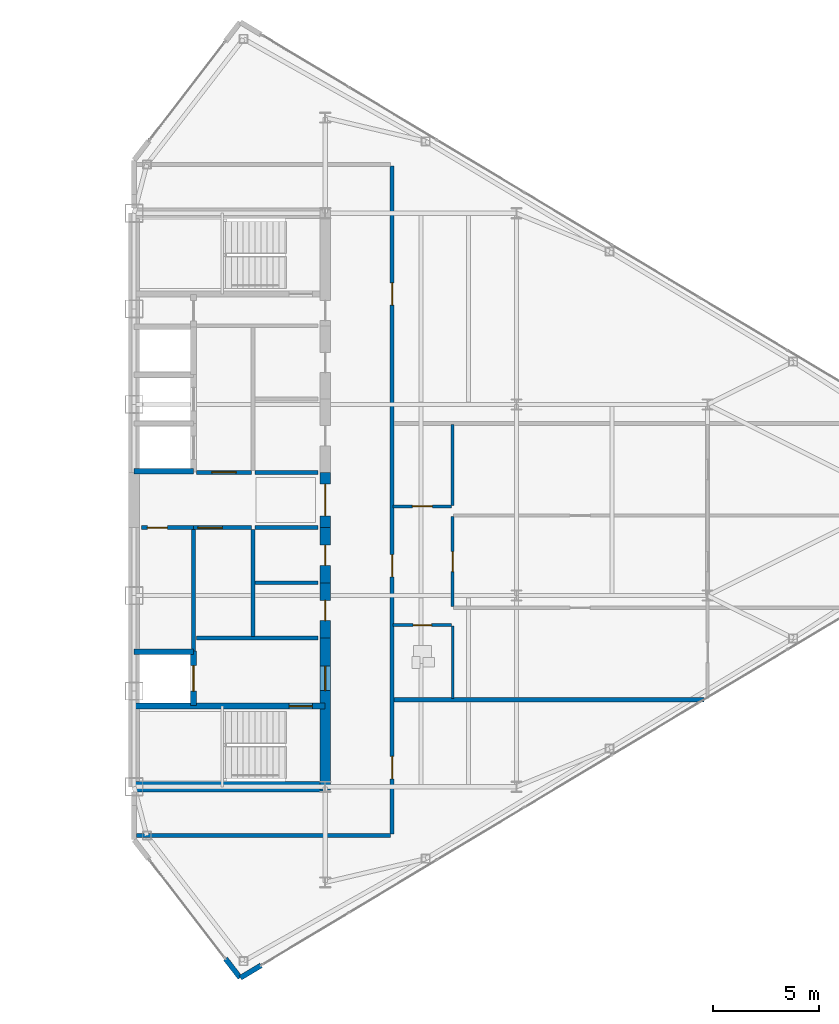
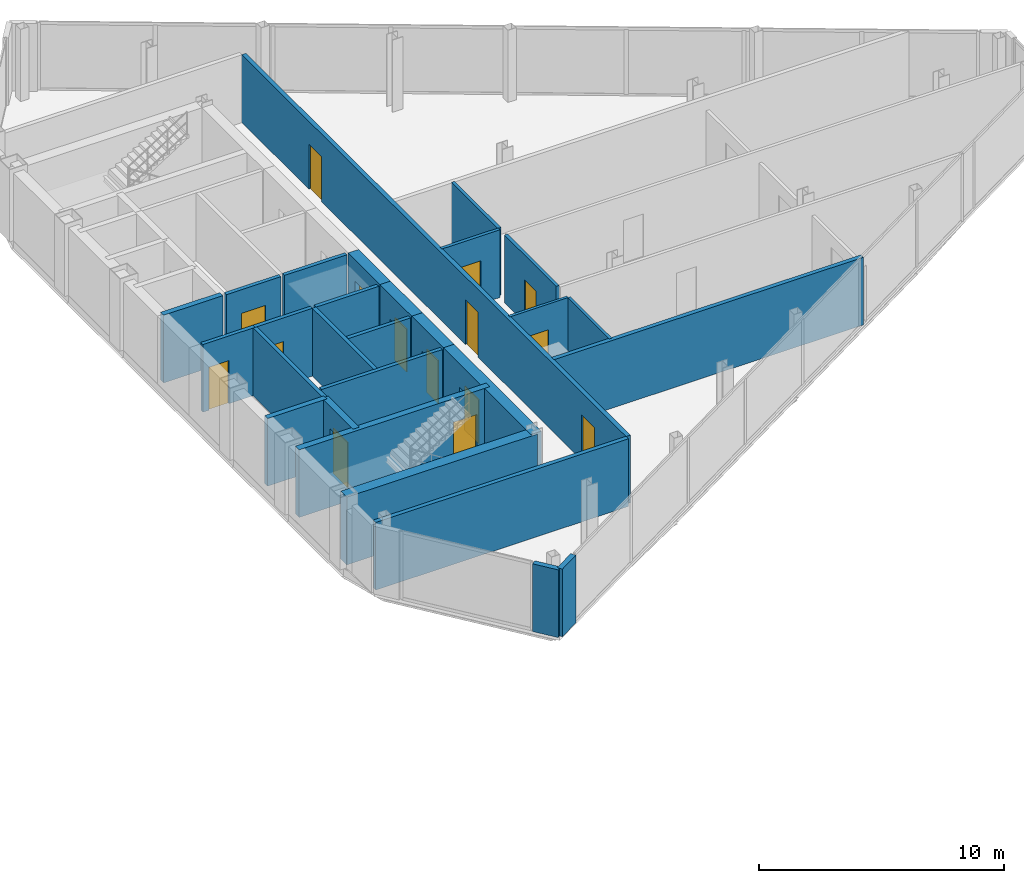
# One storey, part 21 of 25: 28 walls, 15 doors, 15 openings.
"""IFC4 building model written with IfcOpenShell, lengths in metres."""

from ifc_helpers import new_model, si_unit, direction, frame, frame_2d, origin, place, context, subcontext, project, spatial, rectangle, extrude, source, transform, mapped, material, layer, layer_set, type_object, type_shapes, element, fill, save


model = new_model("IFC4")

# Units and contexts
model_context = context("Model", 3, precision=1e-05, world=origin(), true_north=direction((0.0, 1.0)))
body_context = subcontext(model_context, "Body", "Model", "MODEL_VIEW")
ifc_project = project(units=[si_unit("LENGTHUNIT", "METRE"), si_unit("AREAUNIT", "SQUARE_METRE"), si_unit("VOLUMEUNIT", "CUBIC_METRE"), si_unit("PLANEANGLEUNIT", "RADIAN"), si_unit("MASSUNIT", "GRAM", prefix="KILO")], contexts=[model_context])

# Site, building, storey
site_placement = place(None, origin())
site = spatial("IfcSite", under=ifc_project, at=site_placement, CompositionType="ELEMENT")
building_placement = place(site_placement, origin())
building = spatial("IfcBuilding", under=site, at=building_placement, Name="Seokmaru Belvedere", CompositionType="ELEMENT")
storey_placement = place(building_placement, frame((0.0, 0.0, 210.300048828125)))
storey = spatial("IfcBuildingStorey", under=building, at=storey_placement, Name="L56", CompositionType="ELEMENT", Elevation=210.300048828125)

# Wall, opening, door
ifc_material_1 = material(Name="Fire-Rated Gypsum Shaftwall")
ifc_layer_1 = layer(ifc_material_1, 0.14990234375)
ifc_layer_set_1 = layer_set([ifc_layer_1], Name="Fire-Rated Gypsum Shaftwall")
wall_type_1 = type_object("IfcWallType", Name="Apartment Fire-Acoustic Room Partition 150", PredefinedType="PARTITIONING", material=ifc_layer_set_1)
wall_1_placement = place(storey_placement, frame((39.699951171875, -0.300048828125, 0.0), z_axis=(0.0, 0.0, 1.0), x_axis=(1.0, 0.0, 0.0)))
wall_1 = element("IfcWall", 1, at=wall_1_placement, inside=storey, type_object=wall_type_1, Name="L56 Interior Partition 012", PredefinedType="PARTITIONING", context=body_context, shape_type="SweptSolid", body=[
    extrude(rectangle(XDim=2.75, YDim=0.14990234375, at=frame_2d((1.375, 0.0))), origin(), (0.0, 0.0, 1.0), 3.3798828125),
])
opening_1_placement = place(wall_1_placement, frame((0.89990234375, 0.0, 0.0)))
opening_1 = element("IfcOpeningElement", 2, at=opening_1_placement, cuts=wall_1, Name="Opening D05", PredefinedType="OPENING", context=body_context, shape_type="SweptSolid", body=[
    extrude(rectangle(XDim=0.949951171875, YDim=2.14990234375, at=frame_2d((0.47509765625, 1.074951171875))), frame((0.0, 0.0849609375, 0.0), z_axis=(0.0, -1.0, 0.0), x_axis=(1.0, 0.0, 0.0)), (0.0, 0.0, 1.0), 0.169921875),
])
ifc_material_2 = material(Name="Engineered White Oak Timber", Category="wood")
door_type_1 = type_object("IfcDoorType", Name="Apartment Interior Fire-Rated Oak Door 950x2150", OperationType="NOTDEFINED", PredefinedType="DOOR", material=ifc_material_2)
shared_shape_1 = source(origin(), body_context, "Body", "SweptSolid", [
    extrude(rectangle(XDim=0.949951171875, YDim=2.14990234375, at=frame_2d((0.47509765625, 1.074951171875))), frame((0.0, 0.02490234375, 0.0), z_axis=(0.0, -1.0, 0.0), x_axis=(1.0, 0.0, 0.0)), (0.0, 0.0, 1.0), 0.050048828125),
])
type_shapes(door_type_1, [shared_shape_1])
door_1_placement = place(opening_1_placement, origin())
door_1 = element("IfcDoor", 3, at=door_1_placement, inside=storey, type_object=door_type_1, Name="L56 Interior Door 015", OperationType="SINGLE_SWING_RIGHT", OverallHeight=2.14990234375, OverallWidth=0.949951171875, PredefinedType="DOOR", context=body_context, shape_type="MappedRepresentation", body=[
    mapped(shared_shape_1, transform((0.0, 0.0, 0.0), scale=1.0)),
])
fill(opening_1, door_1)

wall_2_placement = place(storey_placement, frame((42.5, -5.01708984375, 0.0), z_axis=(0.0, 0.0, 1.0), x_axis=(0.0, 1.0, 0.0)))
wall_2 = element("IfcWall", 4, at=wall_2_placement, inside=storey, type_object=wall_type_1, Name="L56 Interior Partition 024", PredefinedType="PARTITIONING", context=body_context, shape_type="SweptSolid", body=[
    extrude(rectangle(XDim=4.234130859375, YDim=0.14990234375, at=frame_2d((2.1171875, 0.0))), origin(), (0.0, 0.0, 1.0), 3.3798828125),
])
opening_2_placement = place(wall_2_placement, frame((1.64208984375, 0.0, 0.0)))
opening_2 = element("IfcOpeningElement", 5, at=opening_2_placement, cuts=wall_2, Name="Opening D05", PredefinedType="OPENING", context=body_context, shape_type="SweptSolid", body=[
    extrude(rectangle(XDim=0.949951171875, YDim=2.14990234375, at=frame_2d((0.47509765625, 1.074951171875))), frame((0.0, 0.0849609375, 0.0), z_axis=(0.0, -1.0, 0.0), x_axis=(1.0, 0.0, 0.0)), (0.0, 0.0, 1.0), 0.169921875),
])
door_2_placement = place(opening_2_placement, origin())
door_2 = element("IfcDoor", 6, at=door_2_placement, inside=storey, type_object=door_type_1, Name="L56 Interior Door 016", OperationType="SINGLE_SWING_LEFT", OverallHeight=2.14990234375, OverallWidth=0.949951171875, PredefinedType="DOOR", context=body_context, shape_type="MappedRepresentation", body=[
    mapped(shared_shape_1, transform((0.0, 0.0, 0.0), scale=1.0)),
])
fill(opening_2, door_2)

# Walls
wall_3_placement = place(storey_placement, frame((42.5, -0.248046875, 0.0), z_axis=(0.0, 0.0, 1.0), x_axis=(0.0, 1.0, 0.0)))
element("IfcWall", 7, at=wall_3_placement, inside=storey, type_object=wall_type_1, Name="L56 Interior Partition 025", PredefinedType="PARTITIONING", context=body_context, shape_type="SweptSolid", body=[
    extrude(rectangle(XDim=3.798095703125, YDim=0.14990234375, at=frame_2d((1.89892578125, 0.0))), origin(), (0.0, 0.0, 1.0), 3.3798828125),
])
ifc_layer_2 = layer(ifc_material_1, 0.179931640625)
ifc_layer_set_2 = layer_set([ifc_layer_2], Name="Fire-Rated Gypsum Shaftwall")
wall_type_2 = type_object("IfcWallType", Name="Core Service Fire Partition 180", PredefinedType="PARTITIONING", material=ifc_layer_set_2)
wall_4_placement = place(storey_placement, frame((30.449951171875, -6.5, 0.0), z_axis=(0.0, 0.0, 1.0), x_axis=(1.0, 0.0, 0.0)))
element("IfcWall", 8, at=wall_4_placement, inside=storey, type_object=wall_type_2, Name="L56 East Firefighting Lobby Partition", PredefinedType="PARTITIONING", context=body_context, shape_type="SweptSolid", body=[
    extrude(rectangle(XDim=5.699951171875, YDim=0.179931640625, at=frame_2d((2.85009765625, 0.0))), origin(), (0.0, 0.0, 1.0), 3.3798828125),
])
wall_5_placement = place(storey_placement, frame((33.10009765625, -6.419921875, 0.0), z_axis=(0.0, 0.0, 1.0), x_axis=(0.0, 1.0, 0.0)))
element("IfcWall", 9, at=wall_5_placement, inside=storey, type_object=wall_type_2, Name="L56 East South Core Service Back Wall", PredefinedType="PARTITIONING", context=body_context, shape_type="SweptSolid", body=[
    extrude(rectangle(XDim=5.0400390625, YDim=0.179931640625, at=frame_2d((2.52001953125, 0.0))), origin(), (0.0, 0.0, 1.0), 3.3798828125),
])

# Wall, opening, door
wall_6_placement = place(storey_placement, frame((27.85009765625, -1.300048828125, 0.0), z_axis=(0.0, 0.0, 1.0), x_axis=(1.0, 0.0, 0.0)))
wall_6 = element("IfcWall", 10, at=wall_6_placement, inside=storey, type_object=wall_type_2, Name="L56 East South Parcel Vault Foyer Wall", PredefinedType="PARTITIONING", context=body_context, shape_type="SweptSolid", body=[
    extrude(rectangle(XDim=2.449951171875, YDim=0.179931640625, at=frame_2d((1.22509765625, 0.0))), origin(), (0.0, 0.0, 1.0), 3.3798828125),
])
opening_3_placement = place(wall_6_placement, frame((0.27490234375, 0.0, 0.0)))
opening_3 = element("IfcOpeningElement", 11, at=opening_3_placement, cuts=wall_6, Name="Opening D04", PredefinedType="OPENING", context=body_context, shape_type="SweptSolid", body=[
    extrude(rectangle(XDim=0.949951171875, YDim=2.14990234375, at=frame_2d((0.47509765625, 1.074951171875))), frame((0.0, 0.10009765625, 0.0), z_axis=(0.0, -1.0, 0.0), x_axis=(1.0, 0.0, 0.0)), (0.0, 0.0, 1.0), 0.199951171875),
])
ifc_material_3 = material(Name="Fire-Rated Steel Leaf", Category="steel")
door_type_2 = type_object("IfcDoorType", Name="Core Service Room Fire Door 950x2150", OperationType="NOTDEFINED", PredefinedType="DOOR", material=ifc_material_3)
shared_shape_2 = source(origin(), body_context, "Body", "SweptSolid", [
    extrude(rectangle(XDim=0.949951171875, YDim=2.14990234375, at=frame_2d((0.47509765625, 1.074951171875))), frame((0.0, 0.02490234375, 0.0), z_axis=(0.0, -1.0, 0.0), x_axis=(1.0, 0.0, 0.0)), (0.0, 0.0, 1.0), 0.050048828125),
])
type_shapes(door_type_2, [shared_shape_2])
door_3_placement = place(opening_3_placement, origin())
door_3 = element("IfcDoor", 12, at=door_3_placement, inside=storey, type_object=door_type_2, Name="L56 East South Parcel Vault Door", OperationType="SINGLE_SWING_RIGHT", OverallHeight=2.14990234375, OverallWidth=0.949951171875, PredefinedType="DOOR", context=body_context, shape_type="MappedRepresentation", body=[
    mapped(shared_shape_2, transform((0.0, 0.0, 0.0), scale=1.0)),
])
fill(opening_3, door_3)

wall_7_placement = place(storey_placement, frame((30.300048828125, -1.300048828125, 0.0), z_axis=(0.0, 0.0, 1.0), x_axis=(1.0, 0.0, 0.0)))
wall_7 = element("IfcWall", 13, at=wall_7_placement, inside=storey, type_object=wall_type_2, Name="L56 East South Wine Cellar Foyer Wall", PredefinedType="PARTITIONING", context=body_context, shape_type="SweptSolid", body=[
    extrude(rectangle(XDim=2.719970703125, YDim=0.179931640625, at=frame_2d((1.35986328125, 0.0))), origin(), (0.0, 0.0, 1.0), 3.3798828125),
])
opening_4_placement = place(wall_7_placement, frame((0.2099609375, 0.0, 0.0)))
opening_4 = element("IfcOpeningElement", 14, at=opening_4_placement, cuts=wall_7, Name="Opening D02", PredefinedType="OPENING", context=body_context, shape_type="SweptSolid", body=[
    extrude(rectangle(XDim=1.14990234375, YDim=2.199951171875, at=frame_2d((0.574951171875, 1.10009765625))), frame((0.0, 0.10009765625, 0.0), z_axis=(0.0, -1.0, 0.0), x_axis=(1.0, 0.0, 0.0)), (0.0, 0.0, 1.0), 0.199951171875),
])
door_type_3 = type_object("IfcDoorType", Name="Lobby and Vestibule Fire Door 1150x2200", OperationType="NOTDEFINED", PredefinedType="DOOR", material=ifc_material_3)
shared_shape_3 = source(origin(), body_context, "Body", "SweptSolid", [
    extrude(rectangle(XDim=1.14990234375, YDim=2.199951171875, at=frame_2d((0.574951171875, 1.10009765625))), frame((0.0, 0.02490234375, 0.0), z_axis=(0.0, -1.0, 0.0), x_axis=(1.0, 0.0, 0.0)), (0.0, 0.0, 1.0), 0.050048828125),
])
type_shapes(door_type_3, [shared_shape_3])
door_4_placement = place(opening_4_placement, origin())
door_4 = element("IfcDoor", 15, at=door_4_placement, inside=storey, type_object=door_type_3, Name="L56 East South Core Foyer Door", OperationType="SINGLE_SWING_RIGHT", OverallHeight=2.199951171875, OverallWidth=1.14990234375, PredefinedType="DOOR", context=body_context, shape_type="MappedRepresentation", body=[
    mapped(shared_shape_3, transform((0.0, 0.0, 0.0), scale=1.0)),
])
fill(opening_4, door_4)

# Wall
wall_8_placement = place(storey_placement, frame((30.300048828125, -7.1201171875, 0.0), z_axis=(0.0, 0.0, 1.0), x_axis=(0.0, 1.0, 0.0)))
element("IfcWall", 16, at=wall_8_placement, inside=storey, type_object=wall_type_2, Name="L56 East Freed Shaft Vault Partition", PredefinedType="PARTITIONING", context=body_context, shape_type="SweptSolid", body=[
    extrude(rectangle(XDim=5.740234375, YDim=0.179931640625, at=frame_2d((2.8701171875, 0.0))), origin(), (0.0, 0.0, 1.0), 3.3798828125),
])

# Wall, opening, door
wall_9_placement = place(storey_placement, frame((30.449951171875, 1.300048828125, 0.0), z_axis=(0.0, 0.0, 1.0), x_axis=(1.0, 0.0, 0.0)))
wall_9 = element("IfcWall", 17, at=wall_9_placement, inside=storey, type_object=wall_type_2, Name="L56 East North Lift Lobby Foyer Wall", PredefinedType="PARTITIONING", context=body_context, shape_type="SweptSolid", body=[
    extrude(rectangle(XDim=2.570068359375, YDim=0.179931640625, at=frame_2d((1.28515625, 0.0))), origin(), (0.0, 0.0, 1.0), 3.3798828125),
])
opening_5_placement = place(wall_9_placement, frame((0.7099609375, 0.0, 0.0)))
opening_5 = element("IfcOpeningElement", 18, at=opening_5_placement, cuts=wall_9, Name="Opening D02", PredefinedType="OPENING", context=body_context, shape_type="SweptSolid", body=[
    extrude(rectangle(XDim=1.14990234375, YDim=2.199951171875, at=frame_2d((0.574951171875, 1.10009765625))), frame((0.0, 0.10009765625, 0.0), z_axis=(0.0, -1.0, 0.0), x_axis=(1.0, 0.0, 0.0)), (0.0, 0.0, 1.0), 0.199951171875),
])
door_5_placement = place(opening_5_placement, origin())
door_5 = element("IfcDoor", 19, at=door_5_placement, inside=storey, type_object=door_type_3, Name="L56 East North Lift Lobby Door", OperationType="SINGLE_SWING_LEFT", OverallHeight=2.199951171875, OverallWidth=1.14990234375, PredefinedType="DOOR", context=body_context, shape_type="MappedRepresentation", body=[
    mapped(shared_shape_3, transform((0.0, 0.0, 0.0), scale=1.0)),
])
fill(opening_5, door_5)

# Walls
for number, where, z_axis, x_axis, name in (
    (20, (33.199951171875, -1.300048828125, 0.0), (0.0, 0.0, 1.0), (1.0, 0.0, 0.0), "L56 East Foyer Side Wall S"),
    (21, (33.199951171875, 1.300048828125, 0.0), (0.0, 0.0, 1.0), (1.0, 0.0, 0.0), "L56 East Foyer Side Wall N"),
    (22, (33.199951171875, -3.89990234375, 0.0), (0.0, 0.0, 1.0), (1.0, 0.0, 0.0), "L56 East Core Service Partition 1"),
):
    element("IfcWall", number, at=place(storey_placement, frame(where, z_axis=z_axis, x_axis=x_axis)), inside=storey, type_object=wall_type_2, Name=name, PredefinedType="PARTITIONING", context=body_context, shape_type="SweptSolid", body=[
        extrude(rectangle(XDim=2.949951171875, YDim=0.179931640625, at=frame_2d((1.47509765625, 0.0))), origin(), (0.0, 0.0, 1.0), 3.3798828125),
    ])
ifc_material_4 = material(Name="Concrete C50 (50 MPa)", Category="concrete")
ifc_layer_3 = layer(ifc_material_4, 0.25)
ifc_layer_set_3 = layer_set([ifc_layer_3], Name="Concrete C50 (50 MPa)")
wall_type_3 = type_object("IfcWallType", Name="Hoistway Transverse Concrete Divider Wall 250", PredefinedType="SHEAR", material=ifc_layer_set_3)
for number, where, z_axis, x_axis, name in (
    (23, (27.5, -7.14990234375, 0.0), (0.0, 0.0, 1.0), (1.0, 0.0, 0.0), "L56 East Hoistway Divider Core Wall 1"),
    (24, (27.5, 1.35009765625, 0.0), (0.0, 0.0, 1.0), (1.0, 0.0, 0.0), "L56 East Hoistway Divider Core Wall 2"),
):
    element("IfcWall", number, at=place(storey_placement, frame(where, z_axis=z_axis, x_axis=x_axis)), inside=storey, type_object=wall_type_3, Name=name, PredefinedType="SHEAR", context=body_context, shape_type="SweptSolid", body=[
        extrude(rectangle(XDim=2.800048828125, YDim=0.25, at=frame_2d((1.39990234375, 0.0))), origin(), (0.0, 0.0, 1.0), 3.3798828125),
    ])
ifc_layer_4 = layer(ifc_material_1, 0.199951171875)
ifc_layer_set_4 = layer_set([ifc_layer_4], Name="Fire-Rated Gypsum Shaftwall")
wall_type_4 = type_object("IfcWallType", Name="Inter-Tenancy Fire Compartment Partition 200", PredefinedType="PARTITIONING", material=ifc_layer_set_4)
wall_10_placement = place(storey_placement, frame((27.625, -15.800048828125, 0.0), z_axis=(0.0, 0.0, 1.0), x_axis=(1.0, 0.0, 0.0)))
element("IfcWall", 25, at=wall_10_placement, inside=storey, type_object=wall_type_4, Name="L56 Interior Partition 002", PredefinedType="PARTITIONING", context=body_context, shape_type="SweptSolid", body=[
    extrude(rectangle(XDim=11.93994140625, YDim=0.199951171875, at=frame_2d((5.969970703125, 0.0))), origin(), (0.0, 0.0, 1.0), 3.3798828125),
])
wall_11_placement = place(storey_placement, frame((39.72998046875, -9.39990234375, 0.0), z_axis=(0.0, 0.0, 1.0), x_axis=(1.0, 0.0, 0.0)))
element("IfcWall", 26, at=wall_11_placement, inside=storey, type_object=wall_type_4, Name="L56 Interior Partition 004", PredefinedType="PARTITIONING", context=body_context, shape_type="SweptSolid", body=[
    extrude(rectangle(XDim=14.613037109375, YDim=0.199951171875, at=frame_2d((7.306640625, 0.0))), origin(), (0.0, 0.0, 1.0), 3.3798828125),
])

# Wall, openings, doors
wall_12_placement = place(storey_placement, frame((39.64990234375, -15.715087890625, 0.0), z_axis=(0.0, 0.0, 1.0), x_axis=(0.0, 1.0, 0.0)))
wall_12 = element("IfcWall", 27, at=wall_12_placement, inside=storey, type_object=wall_type_4, Name="L56 Interior Partition 022", PredefinedType="PARTITIONING", context=body_context, shape_type="SweptSolid", body=[
    extrude(rectangle(XDim=31.43017578125, YDim=0.199951171875, at=frame_2d((15.715087890625, 0.0))), origin(), (0.0, 0.0, 1.0), 3.3798828125),
])
opening_6_placement = place(wall_12_placement, frame((2.590087890625, 0.0, 0.0)))
opening_6 = element("IfcOpeningElement", 28, at=opening_6_placement, cuts=wall_12, Name="Opening D03", PredefinedType="OPENING", context=body_context, shape_type="SweptSolid", body=[
    extrude(rectangle(XDim=1.050048828125, YDim=2.25, at=frame_2d((0.52490234375, 1.125))), frame((0.0, 0.10986328125, 0.0), z_axis=(0.0, -1.0, 0.0), x_axis=(1.0, 0.0, 0.0)), (0.0, 0.0, 1.0), 0.219970703125),
])
opening_7_placement = place(wall_12_placement, frame((12.094970703125, 0.0, 0.0)))
opening_7 = element("IfcOpeningElement", 29, at=opening_7_placement, cuts=wall_12, Name="Opening D03", PredefinedType="OPENING", context=body_context, shape_type="SweptSolid", body=[
    extrude(rectangle(XDim=1.050048828125, YDim=2.25, at=frame_2d((0.52490234375, 1.125))), frame((0.0, 0.10986328125, 0.0), z_axis=(0.0, -1.0, 0.0), x_axis=(1.0, 0.0, 0.0)), (0.0, 0.0, 1.0), 0.219970703125),
])
opening_8_placement = place(wall_12_placement, frame((24.889892578125, 0.0, 0.0)))
opening_8 = element("IfcOpeningElement", 30, at=opening_8_placement, cuts=wall_12, Name="Opening D03", PredefinedType="OPENING", context=body_context, shape_type="SweptSolid", body=[
    extrude(rectangle(XDim=1.050048828125, YDim=2.25, at=frame_2d((0.52490234375, 1.125))), frame((0.0, 0.10986328125, 0.0), z_axis=(0.0, -1.0, 0.0), x_axis=(1.0, 0.0, 0.0)), (0.0, 0.0, 1.0), 0.219970703125),
])
door_type_4 = type_object("IfcDoorType", Name="Apartment Entrance Fire Door 1050x2250", OperationType="NOTDEFINED", PredefinedType="DOOR", material=ifc_material_3)
shared_shape_4 = source(origin(), body_context, "Body", "SweptSolid", [
    extrude(rectangle(XDim=1.050048828125, YDim=2.25, at=frame_2d((0.52490234375, 1.125))), frame((0.0, 0.02490234375, 0.0), z_axis=(0.0, -1.0, 0.0), x_axis=(1.0, 0.0, 0.0)), (0.0, 0.0, 1.0), 0.050048828125),
])
type_shapes(door_type_4, [shared_shape_4])
door_6_placement = place(opening_6_placement, origin())
door_6 = element("IfcDoor", 31, at=door_6_placement, inside=storey, type_object=door_type_4, Name="L56 Interior Door 012", OperationType="SINGLE_SWING_LEFT", OverallHeight=2.25, OverallWidth=1.050048828125, PredefinedType="DOOR", context=body_context, shape_type="MappedRepresentation", body=[
    mapped(shared_shape_4, transform((0.0, 0.0, 0.0), scale=1.0)),
])
fill(opening_6, door_6)
door_7_placement = place(opening_7_placement, origin())
door_7 = element("IfcDoor", 32, at=door_7_placement, inside=storey, type_object=door_type_4, Name="L56 Interior Door 013", OperationType="SINGLE_SWING_RIGHT", OverallHeight=2.25, OverallWidth=1.050048828125, PredefinedType="DOOR", context=body_context, shape_type="MappedRepresentation", body=[
    mapped(shared_shape_4, transform((0.0, 0.0, 0.0), scale=1.0)),
])
fill(opening_7, door_7)
door_8_placement = place(opening_8_placement, origin())
door_8 = element("IfcDoor", 33, at=door_8_placement, inside=storey, type_object=door_type_4, Name="L56 Interior Door 022", OperationType="SINGLE_SWING_LEFT", OverallHeight=2.25, OverallWidth=1.050048828125, PredefinedType="DOOR", context=body_context, shape_type="MappedRepresentation", body=[
    mapped(shared_shape_4, transform((0.0, 0.0, 0.0), scale=1.0)),
])
fill(opening_8, door_8)

# Wall, opening, door
ifc_layer_5 = layer(ifc_material_4, 0.300048828125)
ifc_layer_set_5 = layer_set([ifc_layer_5], Name="Concrete C50 (50 MPa)")
wall_type_5 = type_object("IfcWallType", Name="Internal Core Stair and Hoistway Wall 300", PredefinedType="SHEAR", material=ifc_layer_set_5)
wall_13_placement = place(storey_placement, frame((27.5, -9.699951171875, 0.0), z_axis=(0.0, 0.0, 1.0), x_axis=(1.0, 0.0, 0.0)))
wall_13 = element("IfcWall", 34, at=wall_13_placement, inside=storey, type_object=wall_type_5, Name="L56 East Stair ST-1 Enclosure Wall", PredefinedType="SHEAR", context=body_context, shape_type="SweptSolid", body=[
    extrude(rectangle(XDim=9.0, YDim=0.300048828125, at=frame_2d((4.5, 0.0))), origin(), (0.0, 0.0, 1.0), 3.3798828125),
])
opening_9_placement = place(wall_13_placement, frame((7.300048828125, 0.0, 0.0)))
opening_9 = element("IfcOpeningElement", 35, at=opening_9_placement, cuts=wall_13, Name="Opening D01", PredefinedType="OPENING", context=body_context, shape_type="SweptSolid", body=[
    extrude(rectangle(XDim=1.10009765625, YDim=2.199951171875, at=frame_2d((0.550048828125, 1.10009765625))), frame((0.0, 0.16015625, 0.0), z_axis=(0.0, -1.0, 0.0), x_axis=(1.0, 0.0, 0.0)), (0.0, 0.0, 1.0), 0.320068359375),
])
door_type_5 = type_object("IfcDoorType", Name="Special Escape Stair Smokeproof Fire Door 1100x2200", OperationType="NOTDEFINED", PredefinedType="DOOR", material=ifc_material_3)
shared_shape_5 = source(origin(), body_context, "Body", "SweptSolid", [
    extrude(rectangle(XDim=1.10009765625, YDim=2.199951171875, at=frame_2d((0.550048828125, 1.10009765625))), frame((0.0, 0.02490234375, 0.0), z_axis=(0.0, -1.0, 0.0), x_axis=(1.0, 0.0, 0.0)), (0.0, 0.0, 1.0), 0.050048828125),
])
type_shapes(door_type_5, [shared_shape_5])
door_9_placement = place(opening_9_placement, frame((1.10009765625, 0.0, 0.0), z_axis=(0.0, 0.0, 1.0), x_axis=(-1.0, 0.0, 0.0)))
door_9 = element("IfcDoor", 36, at=door_9_placement, inside=storey, type_object=door_type_5, Name="L56 East Special Escape Stair ST-1 Door", OperationType="SINGLE_SWING_RIGHT", OverallHeight=2.199951171875, OverallWidth=1.10009765625, PredefinedType="DOOR", context=body_context, shape_type="MappedRepresentation", body=[
    mapped(shared_shape_5, transform((0.0, 0.0, 0.0), scale=1.0)),
])
fill(opening_9, door_9)

wall_14_placement = place(storey_placement, frame((30.300048828125, -9.679931640625, 0.0), z_axis=(0.0, 0.0, 1.0), x_axis=(0.0, 1.0, 0.0)))
wall_14 = element("IfcWall", 37, at=wall_14_placement, inside=storey, type_object=wall_type_5, Name="L56 East Firefighting Lift Shaft Front Wall", PredefinedType="SHEAR", context=body_context, shape_type="SweptSolid", body=[
    extrude(rectangle(XDim=2.559814453125, YDim=0.300048828125, at=frame_2d((1.27978515625, 0.0))), origin(), (0.0, 0.0, 1.0), 3.3798828125),
])
opening_10_placement = place(wall_14_placement, frame((0.679931640625, 0.0, 0.0)))
opening_10 = element("IfcOpeningElement", 38, at=opening_10_placement, cuts=wall_14, Name="Opening LD2", PredefinedType="OPENING", context=body_context, shape_type="SweptSolid", body=[
    extrude(rectangle(XDim=1.199951171875, YDim=2.25, at=frame_2d((0.60009765625, 1.125))), frame((0.0, 0.16015625, 0.0), z_axis=(0.0, -1.0, 0.0), x_axis=(1.0, 0.0, 0.0)), (0.0, 0.0, 1.0), 0.320068359375),
])
ifc_material_5 = material(Name="Stainless Steel 316", Category="steel")
door_type_6 = type_object("IfcDoorType", Name="Firefighting Lift Sliding Landing Door 1200x2250", OperationType="DOUBLE_DOOR_SLIDING", PredefinedType="DOOR", material=ifc_material_5)
shared_shape_6 = source(origin(), body_context, "Body", "SweptSolid", [
    extrude(rectangle(XDim=1.199951171875, YDim=2.25, at=frame_2d((0.60009765625, 1.125))), frame((0.0, 0.02490234375, 0.0), z_axis=(0.0, -1.0, 0.0), x_axis=(1.0, 0.0, 0.0)), (0.0, 0.0, 1.0), 0.050048828125),
])
type_shapes(door_type_6, [shared_shape_6])
door_10_placement = place(opening_10_placement, origin())
door_10 = element("IfcDoor", 39, at=door_10_placement, inside=storey, type_object=door_type_6, Name="L56 East Firefighting Lift Landing Door", OperationType="DOUBLE_DOOR_SLIDING", OverallHeight=2.25, OverallWidth=1.199951171875, PredefinedType="DOOR", context=body_context, shape_type="MappedRepresentation", body=[
    mapped(shared_shape_6, transform((0.0, 0.0, 0.0), scale=1.0)),
])
fill(opening_10, door_10)

ifc_layer_6 = layer(ifc_material_1, 0.1298828125)
ifc_layer_set_6 = layer_set([ifc_layer_6], Name="Fire-Rated Gypsum Shaftwall")
wall_type_6 = type_object("IfcWallType", Name="Moisture-Resistant Fire-Rated Bathroom Partition 130", PredefinedType="PARTITIONING", material=ifc_layer_set_6)
wall_15_placement = place(storey_placement, frame((39.699951171875, -5.889892578125, 0.0), z_axis=(0.0, 0.0, 1.0), x_axis=(1.0, 0.0, 0.0)))
wall_15 = element("IfcWall", 40, at=wall_15_placement, inside=storey, type_object=wall_type_6, Name="L56 Interior Partition 006", PredefinedType="PARTITIONING", context=body_context, shape_type="SweptSolid", body=[
    extrude(rectangle(XDim=2.75, YDim=0.1298828125, at=frame_2d((1.375, 0.0))), origin(), (0.0, 0.0, 1.0), 3.3798828125),
])
opening_11_placement = place(wall_15_placement, frame((0.93505859375, 0.0, 0.0)))
opening_11 = element("IfcOpeningElement", 41, at=opening_11_placement, cuts=wall_15, Name="Opening D06", PredefinedType="OPENING", context=body_context, shape_type="SweptSolid", body=[
    extrude(rectangle(XDim=0.8798828125, YDim=2.10009765625, at=frame_2d((0.43994140625, 1.050048828125))), frame((0.0, 0.074951171875, 0.0), z_axis=(0.0, -1.0, 0.0), x_axis=(1.0, 0.0, 0.0)), (0.0, 0.0, 1.0), 0.14990234375),
])
door_type_7 = type_object("IfcDoorType", Name="Bathroom and Restroom Fire-Rated Door 880x2100", OperationType="NOTDEFINED", PredefinedType="DOOR", material=ifc_material_2)
shared_shape_7 = source(origin(), body_context, "Body", "SweptSolid", [
    extrude(rectangle(XDim=0.8798828125, YDim=2.10009765625, at=frame_2d((0.43994140625, 1.050048828125))), frame((0.0, 0.02490234375, 0.0), z_axis=(0.0, -1.0, 0.0), x_axis=(1.0, 0.0, 0.0)), (0.0, 0.0, 1.0), 0.050048828125),
])
type_shapes(door_type_7, [shared_shape_7])
door_11_placement = place(opening_11_placement, origin())
door_11 = element("IfcDoor", 42, at=door_11_placement, inside=storey, type_object=door_type_7, Name="L56 Interior Door 014", OperationType="SINGLE_SWING_RIGHT", OverallHeight=2.10009765625, OverallWidth=0.8798828125, PredefinedType="DOOR", context=body_context, shape_type="MappedRepresentation", body=[
    mapped(shared_shape_7, transform((0.0, 0.0, 0.0), scale=1.0)),
])
fill(opening_11, door_11)

# Walls
wall_16_placement = place(storey_placement, frame((42.5, -9.35009765625, 0.0), z_axis=(0.0, 0.0, 1.0), x_axis=(0.0, 1.0, 0.0)))
element("IfcWall", 43, at=wall_16_placement, inside=storey, type_object=wall_type_6, Name="L56 Interior Partition 023", PredefinedType="PARTITIONING", context=body_context, shape_type="SweptSolid", body=[
    extrude(rectangle(XDim=3.408203125, YDim=0.1298828125, at=frame_2d((1.7041015625, 0.0))), origin(), (0.0, 0.0, 1.0), 3.3798828125),
])
ifc_material_6 = material(Name="Anodised Bronze Aluminium", Category="aluminium")
ifc_layer_7 = layer(ifc_material_6, 0.239990234375)
ifc_layer_set_7 = layer_set([ifc_layer_7], Name="Anodised Bronze Aluminium")
wall_type_7 = type_object("IfcWallType", Name="Tower Corner Spandrel Closure Wall 240", PredefinedType="SOLIDWALL", material=ifc_layer_set_7)
for number, where, z_axis, x_axis, name in (
    (44, (32.508544921875, -22.494873046875, 0.0), (0.0, 0.0, 1.0), (0.85743623509, 0.514590228002, 0.0), "L56 E Corner Closure Pier 1A"),
    (45, (31.798828125, -21.58837890625, 0.0), (0.0, 0.0, 1.0), (0.609617623633, -0.792695624408, 0.0), "L56 E Corner Closure Pier 6B"),
):
    element("IfcWall", number, at=place(storey_placement, frame(where, z_axis=z_axis, x_axis=x_axis)), inside=storey, type_object=wall_type_7, Name=name, PredefinedType="SOLIDWALL", context=body_context, shape_type="SweptSolid", body=[
        extrude(rectangle(XDim=1.14013671875, YDim=0.239990234375, at=frame_2d((0.570068359375, 0.0))), origin(), (0.0, 0.0, 1.0), 3.3798828125),
    ])
ifc_layer_8 = layer(ifc_material_4, 0.5)
ifc_layer_set_8 = layer_set([ifc_layer_8], Name="Concrete C50 (50 MPa)")
wall_type_8 = type_object("IfcWallType", Name="Upper Tower Reinforced Concrete Core Wall 500", PredefinedType="SHEAR", material=ifc_layer_set_8)
wall_17_placement = place(storey_placement, frame((27.5, -13.5, 0.0), z_axis=(0.0, 0.0, 1.0), x_axis=(1.0, 0.0, 0.0)))
element("IfcWall", 46, at=wall_17_placement, inside=storey, type_object=wall_type_8, Name="L56 East South Core Wall", PredefinedType="SHEAR", context=body_context, shape_type="SweptSolid", body=[
    extrude(rectangle(XDim=9.0, YDim=0.5, at=frame_2d((4.5, 0.0))), origin(), (0.0, 0.0, 1.0), 3.3798828125),
])

# Wall, opening, door
wall_18_placement = place(storey_placement, frame((36.5, -13.64990234375, 0.0), z_axis=(0.0, 0.0, 1.0), x_axis=(0.0, 1.0, 0.0)))
wall_18 = element("IfcWall", 47, at=wall_18_placement, inside=storey, type_object=wall_type_8, Name="L56 East West Core Wall FF", PredefinedType="SHEAR", context=body_context, shape_type="SweptSolid", body=[
    extrude(rectangle(XDim=7.14990234375, YDim=0.5, at=frame_2d((3.574951171875, 0.0))), origin(), (0.0, 0.0, 1.0), 3.3798828125),
])
opening_12_placement = place(wall_18_placement, frame((4.675048828125, 0.0, 0.0)))
opening_12 = element("IfcOpeningElement", 48, at=opening_12_placement, cuts=wall_18, Name="Opening D02", PredefinedType="OPENING", context=body_context, shape_type="SweptSolid", body=[
    extrude(rectangle(XDim=1.14990234375, YDim=2.199951171875, at=frame_2d((0.574951171875, 1.10009765625))), frame((0.0, 0.260009765625, 0.0), z_axis=(0.0, -1.0, 0.0), x_axis=(1.0, 0.0, 0.0)), (0.0, 0.0, 1.0), 0.52001953125),
])
door_12_placement = place(opening_12_placement, origin())
door_12 = element("IfcDoor", 49, at=door_12_placement, inside=storey, type_object=door_type_3, Name="L56 East Firefighting Lobby Door", OperationType="SINGLE_SWING_RIGHT", OverallHeight=2.199951171875, OverallWidth=1.14990234375, PredefinedType="DOOR", context=body_context, shape_type="MappedRepresentation", body=[
    mapped(shared_shape_3, transform((0.0, 0.0, 0.0), scale=1.0)),
])
fill(opening_12, door_12)

wall_19_placement = place(storey_placement, frame((36.5, -1.300048828125, 0.0), z_axis=(0.0, 0.0, 1.0), x_axis=(0.0, 1.0, 0.0)))
wall_19 = element("IfcWall", 50, at=wall_19_placement, inside=storey, type_object=wall_type_8, Name="L56 East West Core Wall FOY", PredefinedType="SHEAR", context=body_context, shape_type="SweptSolid", body=[
    extrude(rectangle(XDim=2.60009765625, YDim=0.5, at=frame_2d((1.300048828125, 0.0))), origin(), (0.0, 0.0, 1.0), 3.3798828125),
])
opening_13_placement = place(wall_19_placement, frame((0.550048828125, 0.0, 0.0)))
opening_13 = element("IfcOpeningElement", 51, at=opening_13_placement, cuts=wall_19, Name="Opening D08", PredefinedType="OPENING", context=body_context, shape_type="SweptSolid", body=[
    extrude(rectangle(XDim=1.5, YDim=2.300048828125, at=frame_2d((0.75, 1.14990234375))), frame((0.0, 0.260009765625, 0.0), z_axis=(0.0, -1.0, 0.0), x_axis=(1.0, 0.0, 0.0)), (0.0, 0.0, 1.0), 0.52001953125),
])
door_type_8 = type_object("IfcDoorType", Name="Cross-Corridor Compartment Double Fire Door 1500x2300", OperationType="DOUBLE_SWING_LEFT", PredefinedType="DOOR", material=ifc_material_3)
shared_shape_8 = source(origin(), body_context, "Body", "SweptSolid", [
    extrude(rectangle(XDim=1.5, YDim=2.300048828125, at=frame_2d((0.75, 1.14990234375))), frame((0.0, 0.02490234375, 0.0), z_axis=(0.0, -1.0, 0.0), x_axis=(1.0, 0.0, 0.0)), (0.0, 0.0, 1.0), 0.050048828125),
])
type_shapes(door_type_8, [shared_shape_8])
door_13_placement = place(opening_13_placement, origin())
door_13 = element("IfcDoor", 52, at=door_13_placement, inside=storey, type_object=door_type_8, Name="L56 East Core Foyer Compartment Door", OperationType="DOUBLE_SWING_LEFT", OverallHeight=2.300048828125, OverallWidth=1.5, PredefinedType="DOOR", context=body_context, shape_type="MappedRepresentation", body=[
    mapped(shared_shape_8, transform((0.0, 0.0, 0.0), scale=1.0)),
])
fill(opening_13, door_13)

wall_20_placement = place(storey_placement, frame((36.5, -6.5, 0.0), z_axis=(0.0, 0.0, 1.0), x_axis=(0.0, 1.0, 0.0)))
wall_20 = element("IfcWall", 53, at=wall_20_placement, inside=storey, type_object=wall_type_8, Name="L56 East West Core Wall CS1", PredefinedType="SHEAR", context=body_context, shape_type="SweptSolid", body=[
    extrude(rectangle(XDim=2.60009765625, YDim=0.5, at=frame_2d((1.300048828125, 0.0))), origin(), (0.0, 0.0, 1.0), 3.3798828125),
])
opening_14_placement = place(wall_20_placement, frame((0.824951171875, 0.0, 0.0)))
opening_14 = element("IfcOpeningElement", 54, at=opening_14_placement, cuts=wall_20, Name="Opening D04", PredefinedType="OPENING", context=body_context, shape_type="SweptSolid", body=[
    extrude(rectangle(XDim=0.949951171875, YDim=2.14990234375, at=frame_2d((0.47509765625, 1.074951171875))), frame((0.0, 0.260009765625, 0.0), z_axis=(0.0, -1.0, 0.0), x_axis=(1.0, 0.0, 0.0)), (0.0, 0.0, 1.0), 0.52001953125),
])
door_14_placement = place(opening_14_placement, origin())
door_14 = element("IfcDoor", 55, at=door_14_placement, inside=storey, type_object=door_type_2, Name="L56 East Core Service Room Door 1", OperationType="SINGLE_SWING_RIGHT", OverallHeight=2.14990234375, OverallWidth=0.949951171875, PredefinedType="DOOR", context=body_context, shape_type="MappedRepresentation", body=[
    mapped(shared_shape_2, transform((0.0, 0.0, 0.0), scale=1.0)),
])
fill(opening_14, door_14)

wall_21_placement = place(storey_placement, frame((36.5, -3.89990234375, 0.0), z_axis=(0.0, 0.0, 1.0), x_axis=(0.0, 1.0, 0.0)))
wall_21 = element("IfcWall", 56, at=wall_21_placement, inside=storey, type_object=wall_type_8, Name="L56 East West Core Wall CS2", PredefinedType="SHEAR", context=body_context, shape_type="SweptSolid", body=[
    extrude(rectangle(XDim=2.599853515625, YDim=0.5, at=frame_2d((1.2998046875, 0.0))), origin(), (0.0, 0.0, 1.0), 3.3798828125),
])
opening_15_placement = place(wall_21_placement, frame((0.824951171875, 0.0, 0.0)))
opening_15 = element("IfcOpeningElement", 57, at=opening_15_placement, cuts=wall_21, Name="Opening D04", PredefinedType="OPENING", context=body_context, shape_type="SweptSolid", body=[
    extrude(rectangle(XDim=0.949951171875, YDim=2.14990234375, at=frame_2d((0.47509765625, 1.074951171875))), frame((0.0, 0.260009765625, 0.0), z_axis=(0.0, -1.0, 0.0), x_axis=(1.0, 0.0, 0.0)), (0.0, 0.0, 1.0), 0.52001953125),
])
door_15_placement = place(opening_15_placement, origin())
door_15 = element("IfcDoor", 58, at=door_15_placement, inside=storey, type_object=door_type_2, Name="L56 East Core Service Room Door 2", OperationType="SINGLE_SWING_LEFT", OverallHeight=2.14990234375, OverallWidth=0.949951171875, PredefinedType="DOOR", context=body_context, shape_type="MappedRepresentation", body=[
    mapped(shared_shape_2, transform((0.0, 0.0, 0.0), scale=1.0)),
])
fill(opening_15, door_15)

save(model, "model.ifc")
